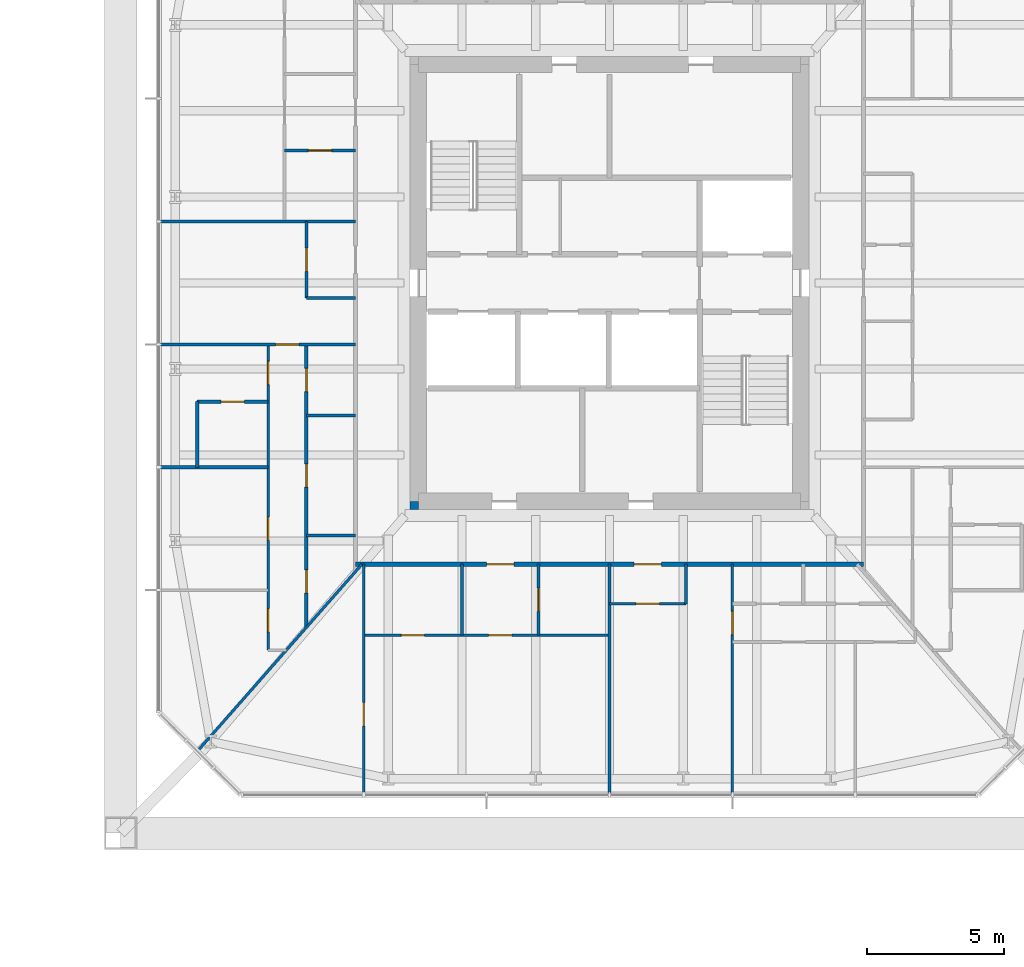
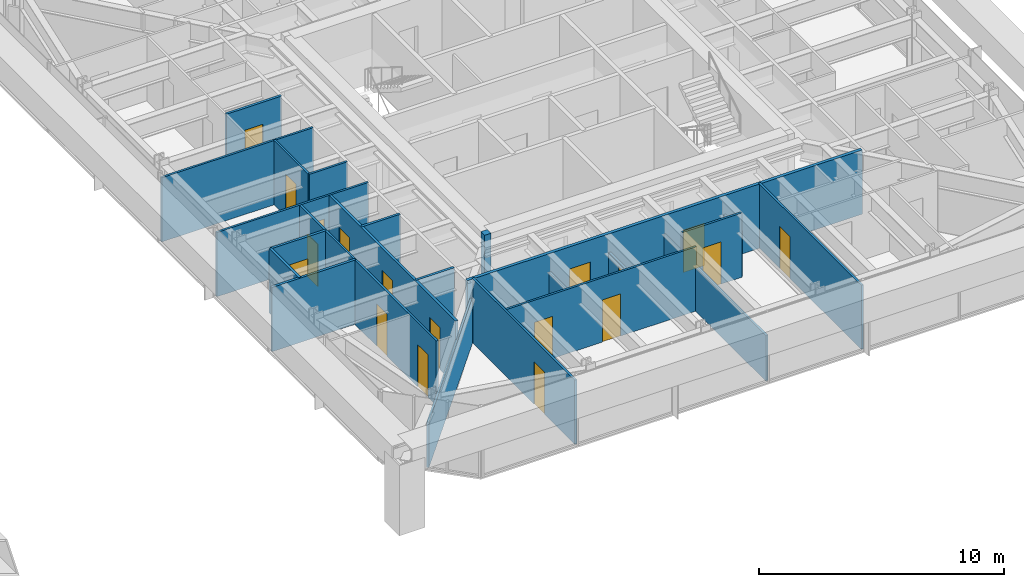
# One storey, part 24 of 32: 23 walls, 18 doors, 18 openings.
"""IFC4 building model written with IfcOpenShell, lengths in metres."""

from ifc_helpers import new_model, si_unit, direction, frame, frame_2d, origin, place, context, subcontext, project, spatial, rectangle, extrude, material, layer, layer_set, type_object, element, fill, save


model = new_model("IFC4")

# Units and contexts
model_context = context("Model", 3, precision=1e-05, world=origin(), true_north=direction((0.0, 1.0)))
body_context = subcontext(model_context, "Body", "Model", "MODEL_VIEW")
ifc_project = project(units=[si_unit("LENGTHUNIT", "METRE"), si_unit("AREAUNIT", "SQUARE_METRE"), si_unit("VOLUMEUNIT", "CUBIC_METRE"), si_unit("PLANEANGLEUNIT", "RADIAN"), si_unit("MASSUNIT", "GRAM", prefix="KILO")], contexts=[model_context])

# Site, building, storey
site_placement = place(None, origin())
site = spatial("IfcSite", under=ifc_project, at=site_placement, CompositionType="ELEMENT")
building_placement = place(site_placement, origin())
building = spatial("IfcBuilding", under=site, at=building_placement, Name="Iwan Alto Co-Living Towers", CompositionType="ELEMENT")
storey_placement = place(building_placement, frame((0.0, 0.0, 71.0)))
storey = spatial("IfcBuildingStorey", under=building, at=storey_placement, Name="L19", CompositionType="ELEMENT", Elevation=71.0)

# Wall, openings, doors
ifc_material_1 = material(Name="Gypsum board")
ifc_layer_1 = layer(ifc_material_1, 0.02490234375, Name="Board", Category="Finish")
ifc_material_2 = material(Name="Steel ASTM A1003 ST33H cold-formed studs", Category="steel")
ifc_layer_2 = layer(ifc_material_2, 0.10009765625, Name="Studs", Category="Framing")
ifc_layer_3 = layer(ifc_material_1, 0.02490234375, Name="Board", Category="Finish")
ifc_layer_set_1 = layer_set([ifc_layer_1, ifc_layer_2, ifc_layer_3], Name="CORRIDOR WALL 150")
wall_type_1 = type_object("IfcWallType", Name="CORRIDOR WALL 150", PredefinedType="PARTITIONING", material=ifc_layer_set_1)
wall_1_placement = place(storey_placement, frame((53.699951171875, -10.300048828125, 0.0), z_axis=(0.0, 0.0, 1.0), x_axis=(1.0, 0.0, 0.0)))
wall_1 = element("IfcWall", 1, at=wall_1_placement, inside=storey, type_object=wall_type_1, Name="Partition L19", PredefinedType="PARTITIONING", context=body_context, shape_type="SweptSolid", body=[
    extrude(rectangle(XDim=18.60009765625, YDim=0.14990234375, at=frame_2d((9.300048828125, 0.0))), origin(), (0.0, 0.0, 1.0), 3.199951171875),
])
opening_1_placement = place(wall_1_placement, frame((4.800048828125, 0.0, 0.0)))
opening_1 = element("IfcOpeningElement", 2, at=opening_1_placement, cuts=wall_1, Name="Opening D3", PredefinedType="OPENING", context=body_context, shape_type="SweptSolid", body=[
    extrude(rectangle(XDim=1.0, YDim=2.10009765625, at=frame_2d((0.5, 1.050048828125))), frame((0.0, 0.0849609375, 0.0), z_axis=(0.0, -1.0, 0.0), x_axis=(1.0, 0.0, 0.0)), (0.0, 0.0, 1.0), 0.169921875),
])
opening_2_placement = place(wall_1_placement, frame((10.199951171875, 0.0, 0.0)))
opening_2 = element("IfcOpeningElement", 3, at=opening_2_placement, cuts=wall_1, Name="Opening D3", PredefinedType="OPENING", context=body_context, shape_type="SweptSolid", body=[
    extrude(rectangle(XDim=1.0, YDim=2.10009765625, at=frame_2d((0.5, 1.050048828125))), frame((0.0, 0.0849609375, 0.0), z_axis=(0.0, -1.0, 0.0), x_axis=(1.0, 0.0, 0.0)), (0.0, 0.0, 1.0), 0.169921875),
])
ifc_material_3 = material(Name="Steel frame with timber leaf", Category="steel")
door_type_1 = type_object("IfcDoorType", Name="FLAT ENTRANCE DOOR FD30S 1000X2100", OperationType="SINGLE_SWING_LEFT", PredefinedType="DOOR", material=ifc_material_3)
door_1_placement = place(opening_1_placement, frame((1.0, 0.0, 0.0), z_axis=(0.0, 0.0, 1.0), x_axis=(-1.0, 0.0, 0.0)))
door_1 = element("IfcDoor", 4, at=door_1_placement, inside=storey, type_object=door_type_1, Name="Apartment foyer door L19", OperationType="SINGLE_SWING_RIGHT", OverallHeight=2.10009765625, OverallWidth=1.0, PredefinedType="DOOR", context=body_context, shape_type="SweptSolid", body=[
    extrude(rectangle(XDim=1.0, YDim=2.10009765625, at=frame_2d((0.5, 1.050048828125))), frame((0.0, 0.02490234375, 0.0), z_axis=(0.0, -1.0, 0.0), x_axis=(1.0, 0.0, 0.0)), (0.0, 0.0, 1.0), 0.050048828125),
])
fill(opening_1, door_1)
door_2_placement = place(opening_2_placement, frame((1.0, 0.0, 0.0), z_axis=(0.0, 0.0, 1.0), x_axis=(-1.0, 0.0, 0.0)))
door_2 = element("IfcDoor", 5, at=door_2_placement, inside=storey, type_object=door_type_1, Name="Apartment foyer door L19", OperationType="SINGLE_SWING_RIGHT", OverallHeight=2.10009765625, OverallWidth=1.0, PredefinedType="DOOR", context=body_context, shape_type="SweptSolid", body=[
    extrude(rectangle(XDim=1.0, YDim=2.10009765625, at=frame_2d((0.5, 1.050048828125))), frame((0.0, 0.02490234375, 0.0), z_axis=(0.0, -1.0, 0.0), x_axis=(1.0, 0.0, 0.0)), (0.0, 0.0, 1.0), 0.050048828125),
])
fill(opening_2, door_2)

ifc_layer_4 = layer(ifc_material_1, 0.012451171875, Name="Board", Category="Finish")
ifc_layer_5 = layer(ifc_material_2, 0.074951171875, Name="Studs", Category="Framing")
ifc_layer_6 = layer(ifc_material_1, 0.012451171875, Name="Board", Category="Finish")
ifc_layer_set_2 = layer_set([ifc_layer_4, ifc_layer_5, ifc_layer_6], Name="PARTITION 100")
wall_type_2 = type_object("IfcWallType", Name="PARTITION 100", PredefinedType="PARTITIONING", material=ifc_layer_set_2)
wall_2_placement = place(storey_placement, frame((54.0, -12.89990234375, 0.0), z_axis=(0.0, 0.0, 1.0), x_axis=(1.0, 0.0, 0.0)))
wall_2 = element("IfcWall", 6, at=wall_2_placement, inside=storey, type_object=wall_type_2, Name="Partition L19", PredefinedType="PARTITIONING", context=body_context, shape_type="SweptSolid", body=[
    extrude(rectangle(XDim=9.0, YDim=0.10009765625, at=frame_2d((4.5, 0.0))), origin(), (0.0, 0.0, 1.0), 3.199951171875),
])
opening_3_placement = place(wall_2_placement, frame((1.375, 0.0, 0.0)))
opening_3 = element("IfcOpeningElement", 7, at=opening_3_placement, cuts=wall_2, Name="Opening D2", PredefinedType="OPENING", context=body_context, shape_type="SweptSolid", body=[
    extrude(rectangle(XDim=0.85009765625, YDim=2.10009765625, at=frame_2d((0.425048828125, 1.050048828125))), frame((0.0, 0.06005859375, 0.0), z_axis=(0.0, -1.0, 0.0), x_axis=(1.0, 0.0, 0.0)), (0.0, 0.0, 1.0), 0.1201171875),
])
opening_4_placement = place(wall_2_placement, frame((4.574951171875, 0.0, 0.0)))
opening_4 = element("IfcOpeningElement", 8, at=opening_4_placement, cuts=wall_2, Name="Opening D2", PredefinedType="OPENING", context=body_context, shape_type="SweptSolid", body=[
    extrude(rectangle(XDim=0.85009765625, YDim=2.10009765625, at=frame_2d((0.425048828125, 1.050048828125))), frame((0.0, 0.06005859375, 0.0), z_axis=(0.0, -1.0, 0.0), x_axis=(1.0, 0.0, 0.0)), (0.0, 0.0, 1.0), 0.1201171875),
])
ifc_material_4 = material(Name="Timber leaf in steel frame", Category="steel")
door_type_2 = type_object("IfcDoorType", Name="ROOM DOOR 850X2100", OperationType="SINGLE_SWING_LEFT", PredefinedType="DOOR", material=ifc_material_4)
door_3_placement = place(opening_3_placement, frame((0.85009765625, 0.0, 0.0), z_axis=(0.0, 0.0, 1.0), x_axis=(-1.0, 0.0, 0.0)))
door_3 = element("IfcDoor", 9, at=door_3_placement, inside=storey, type_object=door_type_2, Name="Kitchen door L19", OperationType="SINGLE_SWING_RIGHT", OverallHeight=2.10009765625, OverallWidth=0.85009765625, PredefinedType="DOOR", context=body_context, shape_type="SweptSolid", body=[
    extrude(rectangle(XDim=0.85009765625, YDim=2.10009765625, at=frame_2d((0.425048828125, 1.050048828125))), frame((0.0, 0.02490234375, 0.0), z_axis=(0.0, -1.0, 0.0), x_axis=(1.0, 0.0, 0.0)), (0.0, 0.0, 1.0), 0.050048828125),
])
fill(opening_3, door_3)
door_4_placement = place(opening_4_placement, frame((0.85009765625, 0.0, 0.0), z_axis=(0.0, 0.0, 1.0), x_axis=(-1.0, 0.0, 0.0)))
door_4 = element("IfcDoor", 10, at=door_4_placement, inside=storey, type_object=door_type_2, Name="Apartment foyer door L19", OperationType="SINGLE_SWING_LEFT", OverallHeight=2.10009765625, OverallWidth=0.85009765625, PredefinedType="DOOR", context=body_context, shape_type="SweptSolid", body=[
    extrude(rectangle(XDim=0.85009765625, YDim=2.10009765625, at=frame_2d((0.425048828125, 1.050048828125))), frame((0.0, 0.02490234375, 0.0), z_axis=(0.0, -1.0, 0.0), x_axis=(1.0, 0.0, 0.0)), (0.0, 0.0, 1.0), 0.050048828125),
])
fill(opening_4, door_4)

# Wall, opening, door
wall_3_placement = place(storey_placement, frame((63.0, -11.75, 0.0), z_axis=(0.0, 0.0, 1.0), x_axis=(1.0, 0.0, 0.0)))
wall_3 = element("IfcWall", 11, at=wall_3_placement, inside=storey, type_object=wall_type_2, Name="Partition L19", PredefinedType="PARTITIONING", context=body_context, shape_type="SweptSolid", body=[
    extrude(rectangle(XDim=2.800048828125, YDim=0.10009765625, at=frame_2d((1.39990234375, 0.0))), origin(), (0.0, 0.0, 1.0), 3.199951171875),
])
opening_5_placement = place(wall_3_placement, frame((0.97509765625, 0.0, 0.0)))
opening_5 = element("IfcOpeningElement", 12, at=opening_5_placement, cuts=wall_3, Name="Opening D2", PredefinedType="OPENING", context=body_context, shape_type="SweptSolid", body=[
    extrude(rectangle(XDim=0.85009765625, YDim=2.10009765625, at=frame_2d((0.425048828125, 1.050048828125))), frame((0.0, 0.06005859375, 0.0), z_axis=(0.0, -1.0, 0.0), x_axis=(1.0, 0.0, 0.0)), (0.0, 0.0, 1.0), 0.1201171875),
])
door_5_placement = place(opening_5_placement, frame((0.85009765625, 0.0, 0.0), z_axis=(0.0, 0.0, 1.0), x_axis=(-1.0, 0.0, 0.0)))
door_5 = element("IfcDoor", 13, at=door_5_placement, inside=storey, type_object=door_type_2, Name="Apartment foyer door L19", OperationType="SINGLE_SWING_RIGHT", OverallHeight=2.10009765625, OverallWidth=0.85009765625, PredefinedType="DOOR", context=body_context, shape_type="SweptSolid", body=[
    extrude(rectangle(XDim=0.85009765625, YDim=2.10009765625, at=frame_2d((0.425048828125, 1.050048828125))), frame((0.0, 0.02490234375, 0.0), z_axis=(0.0, -1.0, 0.0), x_axis=(1.0, 0.0, 0.0)), (0.0, 0.0, 1.0), 0.050048828125),
])
fill(opening_5, door_5)

wall_4_placement = place(storey_placement, frame((46.56005859375, -2.25, 0.0), z_axis=(0.0, 0.0, 1.0), x_axis=(1.0, 0.0, 0.0)))
wall_4 = element("IfcWall", 14, at=wall_4_placement, inside=storey, type_object=wall_type_2, Name="Partition L19", PredefinedType="PARTITIONING", context=body_context, shape_type="SweptSolid", body=[
    extrude(rectangle(XDim=7.139892578125, YDim=0.10009765625, at=frame_2d((3.56982421875, 0.0))), origin(), (0.0, 0.0, 1.0), 3.199951171875),
])
opening_6_placement = place(wall_4_placement, frame((4.215087890625, 0.0, 0.0)))
opening_6 = element("IfcOpeningElement", 15, at=opening_6_placement, cuts=wall_4, Name="Opening D2", PredefinedType="OPENING", context=body_context, shape_type="SweptSolid", body=[
    extrude(rectangle(XDim=0.85009765625, YDim=2.10009765625, at=frame_2d((0.425048828125, 1.050048828125))), frame((0.0, 0.06005859375, 0.0), z_axis=(0.0, -1.0, 0.0), x_axis=(1.0, 0.0, 0.0)), (0.0, 0.0, 1.0), 0.1201171875),
])
door_6_placement = place(opening_6_placement, origin())
door_6 = element("IfcDoor", 16, at=door_6_placement, inside=storey, type_object=door_type_2, Name="Apartment hall door L19", OperationType="SINGLE_SWING_RIGHT", OverallHeight=2.10009765625, OverallWidth=0.85009765625, PredefinedType="DOOR", context=body_context, shape_type="SweptSolid", body=[
    extrude(rectangle(XDim=0.85009765625, YDim=2.10009765625, at=frame_2d((0.425048828125, 1.050048828125))), frame((0.0, 0.02490234375, 0.0), z_axis=(0.0, -1.0, 0.0), x_axis=(1.0, 0.0, 0.0)), (0.0, 0.0, 1.0), 0.050048828125),
])
fill(opening_6, door_6)

# Walls
wall_5_placement = place(storey_placement, frame((51.89990234375, -0.550048828125, 0.0), z_axis=(0.0, 0.0, 1.0), x_axis=(1.0, 0.0, 0.0)))
element("IfcWall", 17, at=wall_5_placement, inside=storey, type_object=wall_type_2, Name="Partition L19", PredefinedType="PARTITIONING", context=body_context, shape_type="SweptSolid", body=[
    extrude(rectangle(XDim=1.800048828125, YDim=0.10009765625, at=frame_2d((0.89990234375, 0.0))), origin(), (0.0, 0.0, 1.0), 3.199951171875),
])
wall_6_placement = place(storey_placement, frame((46.56005859375, 2.25, 0.0), z_axis=(0.0, 0.0, 1.0), x_axis=(1.0, 0.0, 0.0)))
element("IfcWall", 18, at=wall_6_placement, inside=storey, type_object=wall_type_2, Name="Partition L19", PredefinedType="PARTITIONING", context=body_context, shape_type="SweptSolid", body=[
    extrude(rectangle(XDim=7.139892578125, YDim=0.10009765625, at=frame_2d((3.56982421875, 0.0))), origin(), (0.0, 0.0, 1.0), 3.199951171875),
])
wall_7_placement = place(storey_placement, frame((47.944091796875, -17.10888671875, 0.0), z_axis=(0.0, 0.0, 1.0), x_axis=(0.660638210404, 0.750704439146, 0.0)))
element("IfcWall", 19, at=wall_7_placement, inside=storey, type_object=wall_type_2, Name="Partition L19", PredefinedType="PARTITIONING", context=body_context, shape_type="SweptSolid", body=[
    extrude(rectangle(XDim=9.06982421875, YDim=0.10009765625, at=frame_2d((4.534912109375, 0.0))), origin(), (0.0, 0.0, 1.0), 2.27294921875),
])

# Wall, opening, door
wall_8_placement = place(storey_placement, frame((67.5, -18.68994140625, 0.0), z_axis=(0.0, 0.0, 1.0), x_axis=(0.0, 1.0, 0.0)))
wall_8 = element("IfcWall", 20, at=wall_8_placement, inside=storey, type_object=wall_type_2, Name="Partition L19", PredefinedType="PARTITIONING", context=body_context, shape_type="SweptSolid", body=[
    extrude(rectangle(XDim=8.389892578125, YDim=0.10009765625, at=frame_2d((4.19482421875, 0.0))), origin(), (0.0, 0.0, 1.0), 3.199951171875),
])
opening_7_placement = place(wall_8_placement, frame((5.81494140625, 0.0, 0.0)))
opening_7 = element("IfcOpeningElement", 21, at=opening_7_placement, cuts=wall_8, Name="Opening D2", PredefinedType="OPENING", context=body_context, shape_type="SweptSolid", body=[
    extrude(rectangle(XDim=0.85009765625, YDim=2.10009765625, at=frame_2d((0.425048828125, 1.050048828125))), frame((0.0, 0.06005859375, 0.0), z_axis=(0.0, -1.0, 0.0), x_axis=(1.0, 0.0, 0.0)), (0.0, 0.0, 1.0), 0.1201171875),
])
door_7_placement = place(opening_7_placement, origin())
door_7 = element("IfcDoor", 22, at=door_7_placement, inside=storey, type_object=door_type_2, Name="Apartment hall door L19", OperationType="SINGLE_SWING_RIGHT", OverallHeight=2.10009765625, OverallWidth=0.85009765625, PredefinedType="DOOR", context=body_context, shape_type="SweptSolid", body=[
    extrude(rectangle(XDim=0.85009765625, YDim=2.10009765625, at=frame_2d((0.425048828125, 1.050048828125))), frame((0.0, 0.02490234375, 0.0), z_axis=(0.0, -1.0, 0.0), x_axis=(1.0, 0.0, 0.0)), (0.0, 0.0, 1.0), 0.050048828125),
])
fill(opening_7, door_7)

# Walls
wall_9_placement = place(storey_placement, frame((65.800048828125, -11.75, 0.0), z_axis=(0.0, 0.0, 1.0), x_axis=(0.0, 1.0, 0.0)))
element("IfcWall", 23, at=wall_9_placement, inside=storey, type_object=wall_type_2, Name="Partition L19", PredefinedType="PARTITIONING", context=body_context, shape_type="SweptSolid", body=[
    extrude(rectangle(XDim=1.449951171875, YDim=0.10009765625, at=frame_2d((0.72509765625, 0.0))), origin(), (0.0, 0.0, 1.0), 2.27294921875),
])
wall_10_placement = place(storey_placement, frame((63.0, -18.68994140625, 0.0), z_axis=(0.0, 0.0, 1.0), x_axis=(0.0, 1.0, 0.0)))
element("IfcWall", 24, at=wall_10_placement, inside=storey, type_object=wall_type_2, Name="Partition L19", PredefinedType="PARTITIONING", context=body_context, shape_type="SweptSolid", body=[
    extrude(rectangle(XDim=8.389892578125, YDim=0.10009765625, at=frame_2d((4.19482421875, 0.0))), origin(), (0.0, 0.0, 1.0), 2.27294921875),
])
wall_11_placement = place(storey_placement, frame((57.60009765625, -12.89990234375, 0.0), z_axis=(0.0, 0.0, 1.0), x_axis=(0.0, 1.0, 0.0)))
element("IfcWall", 25, at=wall_11_placement, inside=storey, type_object=wall_type_2, Name="Partition L19", PredefinedType="PARTITIONING", context=body_context, shape_type="SweptSolid", body=[
    extrude(rectangle(XDim=2.599853515625, YDim=0.10009765625, at=frame_2d((1.2998046875, 0.0))), origin(), (0.0, 0.0, 1.0), 2.27294921875),
])

# Wall, opening, door
wall_12_placement = place(storey_placement, frame((54.0, -18.68994140625, 0.0), z_axis=(0.0, 0.0, 1.0), x_axis=(0.0, 1.0, 0.0)))
wall_12 = element("IfcWall", 26, at=wall_12_placement, inside=storey, type_object=wall_type_2, Name="Partition L19", PredefinedType="PARTITIONING", context=body_context, shape_type="SweptSolid", body=[
    extrude(rectangle(XDim=8.389892578125, YDim=0.10009765625, at=frame_2d((4.19482421875, 0.0))), origin(), (0.0, 0.0, 1.0), 3.199951171875),
])
opening_8_placement = place(wall_12_placement, frame((2.469970703125, 0.0, 0.0)))
opening_8 = element("IfcOpeningElement", 27, at=opening_8_placement, cuts=wall_12, Name="Opening D2", PredefinedType="OPENING", context=body_context, shape_type="SweptSolid", body=[
    extrude(rectangle(XDim=0.85009765625, YDim=2.10009765625, at=frame_2d((0.425048828125, 1.050048828125))), frame((0.0, 0.06005859375, 0.0), z_axis=(0.0, -1.0, 0.0), x_axis=(1.0, 0.0, 0.0)), (0.0, 0.0, 1.0), 0.1201171875),
])
door_8_placement = place(opening_8_placement, frame((0.85009765625, 0.0, 0.0), z_axis=(0.0, 0.0, 1.0), x_axis=(-1.0, 0.0, 0.0)))
door_8 = element("IfcDoor", 28, at=door_8_placement, inside=storey, type_object=door_type_2, Name="Bedroom door L19", OperationType="SINGLE_SWING_LEFT", OverallHeight=2.10009765625, OverallWidth=0.85009765625, PredefinedType="DOOR", context=body_context, shape_type="SweptSolid", body=[
    extrude(rectangle(XDim=0.85009765625, YDim=2.10009765625, at=frame_2d((0.425048828125, 1.050048828125))), frame((0.0, 0.02490234375, 0.0), z_axis=(0.0, -1.0, 0.0), x_axis=(1.0, 0.0, 0.0)), (0.0, 0.0, 1.0), 0.050048828125),
])
fill(opening_8, door_8)

wall_13_placement = place(storey_placement, frame((51.89990234375, -0.550048828125, 0.0), z_axis=(0.0, 0.0, 1.0), x_axis=(0.0, 1.0, 0.0)))
wall_13 = element("IfcWall", 29, at=wall_13_placement, inside=storey, type_object=wall_type_2, Name="Partition L19", PredefinedType="PARTITIONING", context=body_context, shape_type="SweptSolid", body=[
    extrude(rectangle(XDim=2.800048828125, YDim=0.10009765625, at=frame_2d((1.39990234375, 0.0))), origin(), (0.0, 0.0, 1.0), 3.199951171875),
])
opening_9_placement = place(wall_13_placement, frame((0.97509765625, 0.0, 0.0)))
opening_9 = element("IfcOpeningElement", 30, at=opening_9_placement, cuts=wall_13, Name="Opening D2", PredefinedType="OPENING", context=body_context, shape_type="SweptSolid", body=[
    extrude(rectangle(XDim=0.85009765625, YDim=2.10009765625, at=frame_2d((0.425048828125, 1.050048828125))), frame((0.0, 0.06005859375, 0.0), z_axis=(0.0, -1.0, 0.0), x_axis=(1.0, 0.0, 0.0)), (0.0, 0.0, 1.0), 0.1201171875),
])
door_9_placement = place(opening_9_placement, origin())
door_9 = element("IfcDoor", 31, at=door_9_placement, inside=storey, type_object=door_type_2, Name="Apartment foyer door L19", OperationType="SINGLE_SWING_RIGHT", OverallHeight=2.10009765625, OverallWidth=0.85009765625, PredefinedType="DOOR", context=body_context, shape_type="SweptSolid", body=[
    extrude(rectangle(XDim=0.85009765625, YDim=2.10009765625, at=frame_2d((0.425048828125, 1.050048828125))), frame((0.0, 0.02490234375, 0.0), z_axis=(0.0, -1.0, 0.0), x_axis=(1.0, 0.0, 0.0)), (0.0, 0.0, 1.0), 0.050048828125),
])
fill(opening_9, door_9)

# Wall, openings, doors
wall_14_placement = place(storey_placement, frame((50.5, -13.449951171875, 0.0), z_axis=(0.0, 0.0, 1.0), x_axis=(0.0, 1.0, 0.0)))
wall_14 = element("IfcWall", 32, at=wall_14_placement, inside=storey, type_object=wall_type_2, Name="Partition L19", PredefinedType="PARTITIONING", context=body_context, shape_type="SweptSolid", body=[
    extrude(rectangle(XDim=11.199951171875, YDim=0.10009765625, at=frame_2d((5.60009765625, 0.0))), origin(), (0.0, 0.0, 1.0), 3.199951171875),
])
opening_10_placement = place(wall_14_placement, frame((9.72509765625, 0.0, 0.0)))
opening_10 = element("IfcOpeningElement", 33, at=opening_10_placement, cuts=wall_14, Name="Opening D2", PredefinedType="OPENING", context=body_context, shape_type="SweptSolid", body=[
    extrude(rectangle(XDim=0.85009765625, YDim=2.10009765625, at=frame_2d((0.425048828125, 1.050048828125))), frame((0.0, 0.06005859375, 0.0), z_axis=(0.0, -1.0, 0.0), x_axis=(1.0, 0.0, 0.0)), (0.0, 0.0, 1.0), 0.1201171875),
])
opening_11_placement = place(wall_14_placement, frame((4.02490234375, 0.0, 0.0)))
opening_11 = element("IfcOpeningElement", 34, at=opening_11_placement, cuts=wall_14, Name="Opening D2", PredefinedType="OPENING", context=body_context, shape_type="SweptSolid", body=[
    extrude(rectangle(XDim=0.85009765625, YDim=2.10009765625, at=frame_2d((0.425048828125, 1.050048828125))), frame((0.0, 0.06005859375, 0.0), z_axis=(0.0, -1.0, 0.0), x_axis=(1.0, 0.0, 0.0)), (0.0, 0.0, 1.0), 0.1201171875),
])
opening_12_placement = place(wall_14_placement, frame((0.675048828125, 0.0, 0.0)))
opening_12 = element("IfcOpeningElement", 35, at=opening_12_placement, cuts=wall_14, Name="Opening D2", PredefinedType="OPENING", context=body_context, shape_type="SweptSolid", body=[
    extrude(rectangle(XDim=0.85009765625, YDim=2.10009765625, at=frame_2d((0.425048828125, 1.050048828125))), frame((0.0, 0.06005859375, 0.0), z_axis=(0.0, -1.0, 0.0), x_axis=(1.0, 0.0, 0.0)), (0.0, 0.0, 1.0), 0.1201171875),
])
door_10_placement = place(opening_10_placement, origin())
door_10 = element("IfcDoor", 36, at=door_10_placement, inside=storey, type_object=door_type_2, Name="Bedroom door L19", OperationType="SINGLE_SWING_LEFT", OverallHeight=2.10009765625, OverallWidth=0.85009765625, PredefinedType="DOOR", context=body_context, shape_type="SweptSolid", body=[
    extrude(rectangle(XDim=0.85009765625, YDim=2.10009765625, at=frame_2d((0.425048828125, 1.050048828125))), frame((0.0, 0.02490234375, 0.0), z_axis=(0.0, -1.0, 0.0), x_axis=(1.0, 0.0, 0.0)), (0.0, 0.0, 1.0), 0.050048828125),
])
fill(opening_10, door_10)
door_11_placement = place(opening_11_placement, origin())
door_11 = element("IfcDoor", 37, at=door_11_placement, inside=storey, type_object=door_type_2, Name="Bedroom door L19", OperationType="SINGLE_SWING_LEFT", OverallHeight=2.10009765625, OverallWidth=0.85009765625, PredefinedType="DOOR", context=body_context, shape_type="SweptSolid", body=[
    extrude(rectangle(XDim=0.85009765625, YDim=2.10009765625, at=frame_2d((0.425048828125, 1.050048828125))), frame((0.0, 0.02490234375, 0.0), z_axis=(0.0, -1.0, 0.0), x_axis=(1.0, 0.0, 0.0)), (0.0, 0.0, 1.0), 0.050048828125),
])
fill(opening_11, door_11)
door_12_placement = place(opening_12_placement, origin())
door_12 = element("IfcDoor", 38, at=door_12_placement, inside=storey, type_object=door_type_2, Name="Bedroom door L19", OperationType="SINGLE_SWING_RIGHT", OverallHeight=2.10009765625, OverallWidth=0.85009765625, PredefinedType="DOOR", context=body_context, shape_type="SweptSolid", body=[
    extrude(rectangle(XDim=0.85009765625, YDim=2.10009765625, at=frame_2d((0.425048828125, 1.050048828125))), frame((0.0, 0.02490234375, 0.0), z_axis=(0.0, -1.0, 0.0), x_axis=(1.0, 0.0, 0.0)), (0.0, 0.0, 1.0), 0.050048828125),
])
fill(opening_12, door_12)

# Walls
ifc_material_5 = material(Name="Concrete f'c 70 MPa", Category="concrete")
ifc_layer_7 = layer(ifc_material_5, 0.300048828125)
ifc_layer_set_3 = layer_set([ifc_layer_7], Name="T2 CORE CORNER FILL 300")
wall_type_3 = type_object("IfcWallType", Name="T2 CORE CORNER FILL 300", PredefinedType="SOLIDWALL", material=ifc_layer_set_3)
wall_15_placement = place(storey_placement, frame((55.699951171875, -8.14990234375, 0.0), z_axis=(0.0, 0.0, 1.0), x_axis=(1.0, 0.0, 0.0)))
element("IfcWall", 39, at=wall_15_placement, inside=storey, type_object=wall_type_3, Name="T2 core corner SW L19", PredefinedType="SOLIDWALL", context=body_context, shape_type="SweptSolid", body=[
    extrude(rectangle(XDim=0.300048828125, YDim=0.300048828125, at=frame_2d((0.14990234375, 0.0))), origin(), (0.0, 0.0, 1.0), 3.5),
])
ifc_material_6 = material(Name="Cement board")
ifc_layer_8 = layer(ifc_material_6, 0.012451171875, Name="Board", Category="Finish")
ifc_layer_9 = layer(ifc_material_2, 0.094970703125, Name="Studs", Category="Framing")
ifc_layer_10 = layer(ifc_material_6, 0.012451171875, Name="Board", Category="Finish")
ifc_layer_set_4 = layer_set([ifc_layer_8, ifc_layer_9, ifc_layer_10], Name="WET AREA PARTITION 120")
wall_type_4 = type_object("IfcWallType", Name="WET AREA PARTITION 120", PredefinedType="PARTITIONING", material=ifc_layer_set_4)
wall_16_placement = place(storey_placement, frame((51.89990234375, -9.25, 0.0), z_axis=(0.0, 0.0, 1.0), x_axis=(1.0, 0.0, 0.0)))
element("IfcWall", 40, at=wall_16_placement, inside=storey, type_object=wall_type_4, Name="Partition L19", PredefinedType="PARTITIONING", context=body_context, shape_type="SweptSolid", body=[
    extrude(rectangle(XDim=1.800048828125, YDim=0.1201171875, at=frame_2d((0.89990234375, 0.0))), origin(), (0.0, 0.0, 1.0), 3.199951171875),
])
wall_17_placement = place(storey_placement, frame((46.56005859375, -6.75, 0.0), z_axis=(0.0, 0.0, 1.0), x_axis=(1.0, 0.0, 0.0)))
element("IfcWall", 41, at=wall_17_placement, inside=storey, type_object=wall_type_4, Name="Partition L19", PredefinedType="PARTITIONING", context=body_context, shape_type="SweptSolid", body=[
    extrude(rectangle(XDim=3.93994140625, YDim=0.1201171875, at=frame_2d((1.969970703125, 0.0))), origin(), (0.0, 0.0, 1.0), 3.199951171875),
])
wall_18_placement = place(storey_placement, frame((51.89990234375, -4.85009765625, 0.0), z_axis=(0.0, 0.0, 1.0), x_axis=(1.0, 0.0, 0.0)))
element("IfcWall", 42, at=wall_18_placement, inside=storey, type_object=wall_type_4, Name="Partition L19", PredefinedType="PARTITIONING", context=body_context, shape_type="SweptSolid", body=[
    extrude(rectangle(XDim=1.800048828125, YDim=0.1201171875, at=frame_2d((0.89990234375, 0.0))), origin(), (0.0, 0.0, 1.0), 3.199951171875),
])

# Wall, opening, door
wall_19_placement = place(storey_placement, frame((47.89990234375, -4.35009765625, 0.0), z_axis=(0.0, 0.0, 1.0), x_axis=(1.0, 0.0, 0.0)))
wall_19 = element("IfcWall", 43, at=wall_19_placement, inside=storey, type_object=wall_type_4, Name="Partition L19", PredefinedType="PARTITIONING", context=body_context, shape_type="SweptSolid", body=[
    extrude(rectangle(XDim=2.60009765625, YDim=0.1201171875, at=frame_2d((1.300048828125, 0.0))), origin(), (0.0, 0.0, 1.0), 3.199951171875),
])
opening_13_placement = place(wall_19_placement, frame((0.875, 0.0, 0.0)))
opening_13 = element("IfcOpeningElement", 44, at=opening_13_placement, cuts=wall_19, Name="Opening D2", PredefinedType="OPENING", context=body_context, shape_type="SweptSolid", body=[
    extrude(rectangle(XDim=0.85009765625, YDim=2.10009765625, at=frame_2d((0.425048828125, 1.050048828125))), frame((0.0, 0.070068359375, 0.0), z_axis=(0.0, -1.0, 0.0), x_axis=(1.0, 0.0, 0.0)), (0.0, 0.0, 1.0), 0.14013671875),
])
door_13_placement = place(opening_13_placement, origin())
door_13 = element("IfcDoor", 45, at=door_13_placement, inside=storey, type_object=door_type_2, Name="En-suite shower room door L19", OperationType="SINGLE_SWING_RIGHT", OverallHeight=2.10009765625, OverallWidth=0.85009765625, PredefinedType="DOOR", context=body_context, shape_type="SweptSolid", body=[
    extrude(rectangle(XDim=0.85009765625, YDim=2.10009765625, at=frame_2d((0.425048828125, 1.050048828125))), frame((0.0, 0.02490234375, 0.0), z_axis=(0.0, -1.0, 0.0), x_axis=(1.0, 0.0, 0.0)), (0.0, 0.0, 1.0), 0.050048828125),
])
fill(opening_13, door_13)

wall_20_placement = place(storey_placement, frame((51.10009765625, 4.85009765625, 0.0), z_axis=(0.0, 0.0, 1.0), x_axis=(1.0, 0.0, 0.0)))
wall_20 = element("IfcWall", 46, at=wall_20_placement, inside=storey, type_object=wall_type_4, Name="Partition L19", PredefinedType="PARTITIONING", context=body_context, shape_type="SweptSolid", body=[
    extrude(rectangle(XDim=2.599853515625, YDim=0.1201171875, at=frame_2d((1.2998046875, 0.0))), origin(), (0.0, 0.0, 1.0), 3.199951171875),
])
opening_14_placement = place(wall_20_placement, frame((0.875, 0.0, 0.0)))
opening_14 = element("IfcOpeningElement", 47, at=opening_14_placement, cuts=wall_20, Name="Opening D2", PredefinedType="OPENING", context=body_context, shape_type="SweptSolid", body=[
    extrude(rectangle(XDim=0.85009765625, YDim=2.10009765625, at=frame_2d((0.425048828125, 1.050048828125))), frame((0.0, 0.070068359375, 0.0), z_axis=(0.0, -1.0, 0.0), x_axis=(1.0, 0.0, 0.0)), (0.0, 0.0, 1.0), 0.14013671875),
])
door_14_placement = place(opening_14_placement, frame((0.85009765625, 0.0, 0.0), z_axis=(0.0, 0.0, 1.0), x_axis=(-1.0, 0.0, 0.0)))
door_14 = element("IfcDoor", 48, at=door_14_placement, inside=storey, type_object=door_type_2, Name="Bathroom door L19", OperationType="SINGLE_SWING_RIGHT", OverallHeight=2.10009765625, OverallWidth=0.85009765625, PredefinedType="DOOR", context=body_context, shape_type="SweptSolid", body=[
    extrude(rectangle(XDim=0.85009765625, YDim=2.10009765625, at=frame_2d((0.425048828125, 1.050048828125))), frame((0.0, 0.02490234375, 0.0), z_axis=(0.0, -1.0, 0.0), x_axis=(1.0, 0.0, 0.0)), (0.0, 0.0, 1.0), 0.050048828125),
])
fill(opening_14, door_14)

wall_21_placement = place(storey_placement, frame((60.39990234375, -12.89990234375, 0.0), z_axis=(0.0, 0.0, 1.0), x_axis=(0.0, 1.0, 0.0)))
wall_21 = element("IfcWall", 49, at=wall_21_placement, inside=storey, type_object=wall_type_4, Name="Partition L19", PredefinedType="PARTITIONING", context=body_context, shape_type="SweptSolid", body=[
    extrude(rectangle(XDim=2.599853515625, YDim=0.1201171875, at=frame_2d((1.2998046875, 0.0))), origin(), (0.0, 0.0, 1.0), 2.27294921875),
])
opening_15_placement = place(wall_21_placement, frame((0.875, 0.0, 0.0)))
opening_15 = element("IfcOpeningElement", 50, at=opening_15_placement, cuts=wall_21, Name="Opening D2", PredefinedType="OPENING", context=body_context, shape_type="SweptSolid", body=[
    extrude(rectangle(XDim=0.85009765625, YDim=2.10009765625, at=frame_2d((0.425048828125, 1.050048828125))), frame((0.0, 0.070068359375, 0.0), z_axis=(0.0, -1.0, 0.0), x_axis=(1.0, 0.0, 0.0)), (0.0, 0.0, 1.0), 0.14013671875),
])
door_15_placement = place(opening_15_placement, frame((0.85009765625, 0.0, 0.0), z_axis=(0.0, 0.0, 1.0), x_axis=(-1.0, 0.0, 0.0)))
door_15 = element("IfcDoor", 51, at=door_15_placement, inside=storey, type_object=door_type_2, Name="Bathroom door L19", OperationType="SINGLE_SWING_RIGHT", OverallHeight=2.10009765625, OverallWidth=0.85009765625, PredefinedType="DOOR", context=body_context, shape_type="SweptSolid", body=[
    extrude(rectangle(XDim=0.85009765625, YDim=2.10009765625, at=frame_2d((0.425048828125, 1.050048828125))), frame((0.0, 0.02490234375, 0.0), z_axis=(0.0, -1.0, 0.0), x_axis=(1.0, 0.0, 0.0)), (0.0, 0.0, 1.0), 0.050048828125),
])
fill(opening_15, door_15)

# Wall, openings, doors
wall_22_placement = place(storey_placement, frame((51.89990234375, -12.614013671875, 0.0), z_axis=(0.0, 0.0, 1.0), x_axis=(0.0, 1.0, 0.0)))
wall_22 = element("IfcWall", 52, at=wall_22_placement, inside=storey, type_object=wall_type_4, Name="Partition L19", PredefinedType="PARTITIONING", context=body_context, shape_type="SweptSolid", body=[
    extrude(rectangle(XDim=10.364013671875, YDim=0.1201171875, at=frame_2d((5.18212890625, 0.0))), origin(), (0.0, 0.0, 1.0), 3.199951171875),
])
opening_16_placement = place(wall_22_placement, frame((8.638916015625, 0.0, 0.0)))
opening_16 = element("IfcOpeningElement", 53, at=opening_16_placement, cuts=wall_22, Name="Opening D2", PredefinedType="OPENING", context=body_context, shape_type="SweptSolid", body=[
    extrude(rectangle(XDim=0.85009765625, YDim=2.10009765625, at=frame_2d((0.425048828125, 1.050048828125))), frame((0.0, 0.070068359375, 0.0), z_axis=(0.0, -1.0, 0.0), x_axis=(1.0, 0.0, 0.0)), (0.0, 0.0, 1.0), 0.14013671875),
])
opening_17_placement = place(wall_22_placement, frame((5.138916015625, 0.0, 0.0)))
opening_17 = element("IfcOpeningElement", 54, at=opening_17_placement, cuts=wall_22, Name="Opening D2", PredefinedType="OPENING", context=body_context, shape_type="SweptSolid", body=[
    extrude(rectangle(XDim=0.85009765625, YDim=2.10009765625, at=frame_2d((0.425048828125, 1.050048828125))), frame((0.0, 0.070068359375, 0.0), z_axis=(0.0, -1.0, 0.0), x_axis=(1.0, 0.0, 0.0)), (0.0, 0.0, 1.0), 0.14013671875),
])
opening_18_placement = place(wall_22_placement, frame((1.257080078125, 0.0, 0.0)))
opening_18 = element("IfcOpeningElement", 55, at=opening_18_placement, cuts=wall_22, Name="Opening D2", PredefinedType="OPENING", context=body_context, shape_type="SweptSolid", body=[
    extrude(rectangle(XDim=0.85009765625, YDim=2.10009765625, at=frame_2d((0.425048828125, 1.050048828125))), frame((0.0, 0.070068359375, 0.0), z_axis=(0.0, -1.0, 0.0), x_axis=(1.0, 0.0, 0.0)), (0.0, 0.0, 1.0), 0.14013671875),
])
door_16_placement = place(opening_16_placement, frame((0.85009765625, 0.0, 0.0), z_axis=(0.0, 0.0, 1.0), x_axis=(-1.0, 0.0, 0.0)))
door_16 = element("IfcDoor", 56, at=door_16_placement, inside=storey, type_object=door_type_2, Name="Bathroom door L19", OperationType="SINGLE_SWING_RIGHT", OverallHeight=2.10009765625, OverallWidth=0.85009765625, PredefinedType="DOOR", context=body_context, shape_type="SweptSolid", body=[
    extrude(rectangle(XDim=0.85009765625, YDim=2.10009765625, at=frame_2d((0.425048828125, 1.050048828125))), frame((0.0, 0.02490234375, 0.0), z_axis=(0.0, -1.0, 0.0), x_axis=(1.0, 0.0, 0.0)), (0.0, 0.0, 1.0), 0.050048828125),
])
fill(opening_16, door_16)
door_17_placement = place(opening_17_placement, frame((0.85009765625, 0.0, 0.0), z_axis=(0.0, 0.0, 1.0), x_axis=(-1.0, 0.0, 0.0)))
door_17 = element("IfcDoor", 57, at=door_17_placement, inside=storey, type_object=door_type_2, Name="Utility room door L19", OperationType="SINGLE_SWING_RIGHT", OverallHeight=2.10009765625, OverallWidth=0.85009765625, PredefinedType="DOOR", context=body_context, shape_type="SweptSolid", body=[
    extrude(rectangle(XDim=0.85009765625, YDim=2.10009765625, at=frame_2d((0.425048828125, 1.050048828125))), frame((0.0, 0.02490234375, 0.0), z_axis=(0.0, -1.0, 0.0), x_axis=(1.0, 0.0, 0.0)), (0.0, 0.0, 1.0), 0.050048828125),
])
fill(opening_17, door_17)
door_18_placement = place(opening_18_placement, frame((0.85009765625, 0.0, 0.0), z_axis=(0.0, 0.0, 1.0), x_axis=(-1.0, 0.0, 0.0)))
door_18 = element("IfcDoor", 58, at=door_18_placement, inside=storey, type_object=door_type_2, Name="Store room door L19", OperationType="SINGLE_SWING_RIGHT", OverallHeight=2.10009765625, OverallWidth=0.85009765625, PredefinedType="DOOR", context=body_context, shape_type="SweptSolid", body=[
    extrude(rectangle(XDim=0.85009765625, YDim=2.10009765625, at=frame_2d((0.425048828125, 1.050048828125))), frame((0.0, 0.02490234375, 0.0), z_axis=(0.0, -1.0, 0.0), x_axis=(1.0, 0.0, 0.0)), (0.0, 0.0, 1.0), 0.050048828125),
])
fill(opening_18, door_18)

# Wall
wall_23_placement = place(storey_placement, frame((47.89990234375, -6.75, 0.0), z_axis=(0.0, 0.0, 1.0), x_axis=(0.0, 1.0, 0.0)))
element("IfcWall", 59, at=wall_23_placement, inside=storey, type_object=wall_type_4, Name="Partition L19", PredefinedType="PARTITIONING", context=body_context, shape_type="SweptSolid", body=[
    extrude(rectangle(XDim=2.39990234375, YDim=0.1201171875, at=frame_2d((1.199951171875, 0.0))), origin(), (0.0, 0.0, 1.0), 3.199951171875),
])

save(model, "model.ifc")
